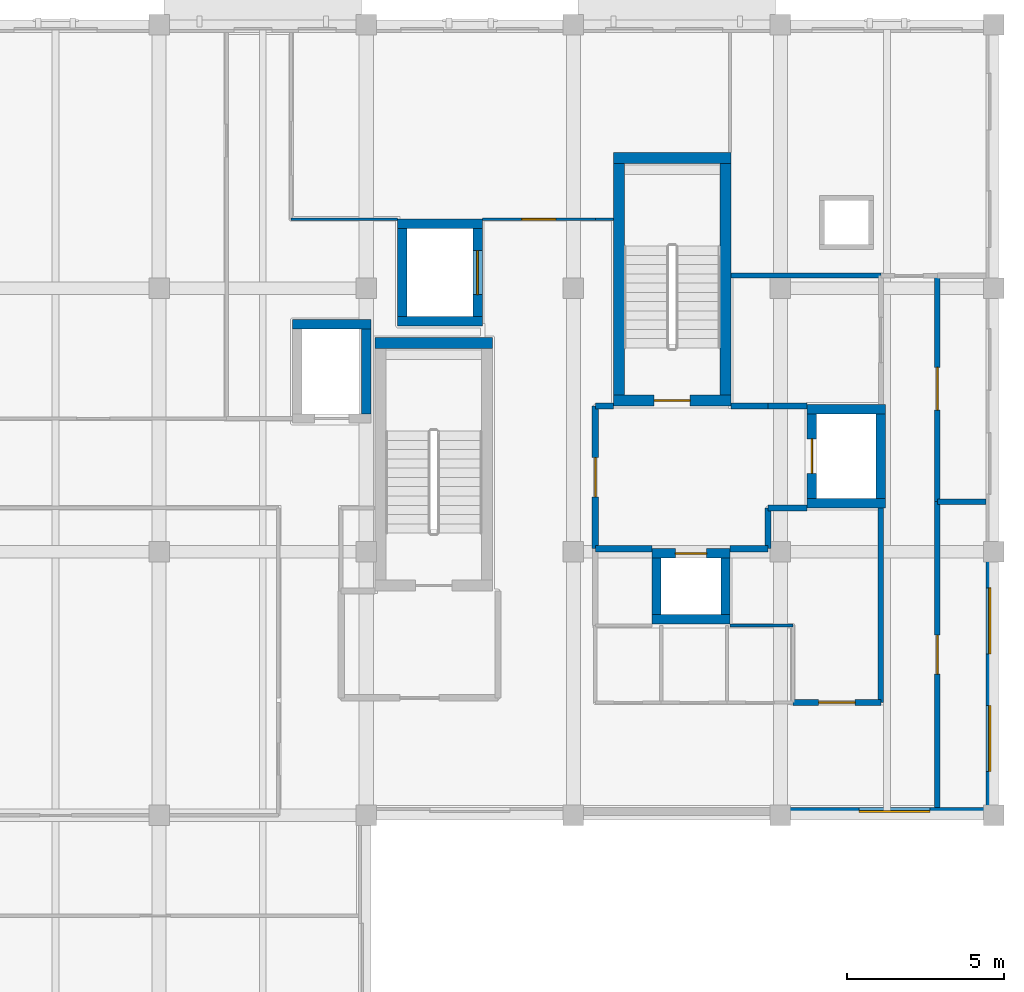
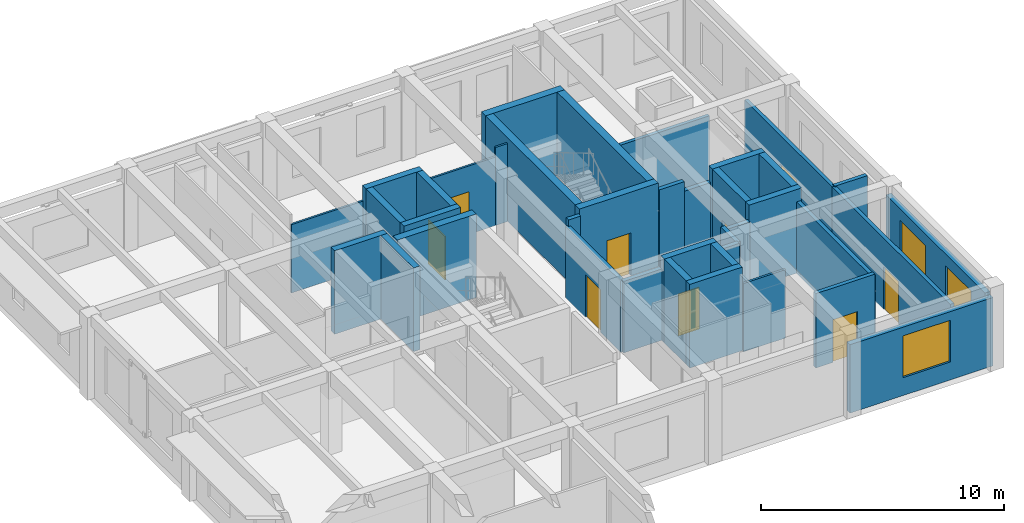
# One storey, part 9 of 14: 39 walls, 9 doors, 3 windows, 12 openings.
"""IFC4 building model written with IfcOpenShell, lengths in metres."""

from ifc_helpers import new_model, si_unit, direction, frame, frame_2d, origin, place, context, subcontext, project, spatial, rectangle, extrude, material, layer, layer_set, type_object, element, fill, save


model = new_model("IFC4")

# Units and contexts
model_context = context("Model", 3, precision=1e-05, world=origin(), true_north=direction((0.0, 1.0)))
body_context = subcontext(model_context, "Body", "Model", "MODEL_VIEW")
ifc_project = project(units=[si_unit("LENGTHUNIT", "METRE"), si_unit("AREAUNIT", "SQUARE_METRE"), si_unit("VOLUMEUNIT", "CUBIC_METRE"), si_unit("PLANEANGLEUNIT", "RADIAN"), si_unit("MASSUNIT", "GRAM", prefix="KILO")], contexts=[model_context])

# Site, building, storey
site_placement = place(None, origin())
site = spatial("IfcSite", under=ifc_project, at=site_placement, CompositionType="ELEMENT")
building_placement = place(site_placement, origin())
building = spatial("IfcBuilding", under=site, at=building_placement, Name="Kolvaren Faculty of Natural Sciences", CompositionType="ELEMENT")
storey_placement = place(building_placement, frame((0.0, 0.0, 28.5)))
storey = spatial("IfcBuildingStorey", under=building, at=storey_placement, Name="L06", CompositionType="ELEMENT", Elevation=28.5)

# Wall
ifc_material_1 = material(Name="Acoustic mineral-wool insulated gypsum partition")
ifc_layer_1 = layer(ifc_material_1, 0.159912109375)
ifc_layer_set_1 = layer_set([ifc_layer_1], Name="Acoustic mineral-wool insulated gypsum partition")
wall_type_1 = type_object("IfcWallType", Name="ClassroomPartitionWall_160", PredefinedType="PARTITIONING", material=ifc_layer_set_1)
wall_1_placement = place(storey_placement, frame((163.626953125, 76.199951171875, 0.0), z_axis=(0.0, 0.0, 1.0), x_axis=(1.0, 0.0, 0.0)))
element("IfcWall", 1, at=wall_1_placement, inside=storey, type_object=wall_type_1, Name="L06 interior partition PW-160", PredefinedType="PARTITIONING", context=body_context, shape_type="SweptSolid", body=[
    extrude(rectangle(XDim=4.77294921875, YDim=0.159912109375, at=frame_2d((2.386474609375, 0.0))), origin(), (0.0, 0.0, 1.0), 3.43505859375),
])

# Wall, opening, door
ifc_material_2 = material(Name="Concrete C40/50", Category="concrete")
ifc_layer_2 = layer(ifc_material_2, 0.35009765625)
ifc_layer_set_2 = layer_set([ifc_layer_2], Name="Concrete C40/50")
wall_type_2 = type_object("IfcWallType", Name="CoreShearWall_350", PredefinedType="SHEAR", material=ifc_layer_set_2)
wall_2_placement = place(storey_placement, frame((159.875, 72.22509765625, 0.0), z_axis=(0.0, 0.0, 1.0), x_axis=(1.0, 0.0, 0.0)))
wall_2 = element("IfcWall", 2, at=wall_2_placement, inside=storey, type_object=wall_type_2, Name="L06 CORE-C1 stair shear wall S", PredefinedType="SHEAR", context=body_context, shape_type="SweptSolid", body=[
    extrude(rectangle(XDim=3.75, YDim=0.35009765625, at=frame_2d((1.875, 0.0))), origin(), (0.0, 0.0, 1.0), 4.199951171875),
])
opening_1_placement = place(wall_2_placement, frame((1.300048828125, 0.0, 0.0)))
opening_1 = element("IfcOpeningElement", 3, at=opening_1_placement, cuts=wall_2, Name="Opening FD90", PredefinedType="OPENING", context=body_context, shape_type="SweptSolid", body=[
    extrude(rectangle(XDim=1.14990234375, YDim=2.14990234375, at=frame_2d((0.574951171875, 1.074951171875))), frame((0.0, 0.18505859375, 0.0), z_axis=(0.0, -1.0, 0.0), x_axis=(1.0, 0.0, 0.0)), (0.0, 0.0, 1.0), 0.3701171875),
])
ifc_material_3 = material(Name="Fire-rated solid-core hardwood door leaf in steel frame", Category="steel")
door_type_1 = type_object("IfcDoorType", Name="StairCoreFireDoor_1150x2150", OperationType="NOTDEFINED", PredefinedType="DOOR", material=ifc_material_3)
door_1_placement = place(opening_1_placement, origin())
door_1 = element("IfcDoor", 4, at=door_1_placement, inside=storey, type_object=door_type_1, Name="D-ST-ST-1-L06", OperationType="SINGLE_SWING_RIGHT", OverallHeight=2.14990234375, OverallWidth=1.14990234375, PredefinedType="DOOR", context=body_context, shape_type="SweptSolid", body=[
    extrude(rectangle(XDim=1.14990234375, YDim=2.14990234375, at=frame_2d((0.574951171875, 1.074951171875))), frame((0.0, 0.02490234375, 0.0), z_axis=(0.0, -1.0, 0.0), x_axis=(1.0, 0.0, 0.0)), (0.0, 0.0, 1.0), 0.050048828125),
])
fill(opening_1, door_1)

# Walls
wall_3_placement = place(storey_placement, frame((159.875, 79.949951171875, 0.0), z_axis=(0.0, 0.0, 1.0), x_axis=(1.0, 0.0, 0.0)))
element("IfcWall", 5, at=wall_3_placement, inside=storey, type_object=wall_type_2, Name="L06 CORE-C1 stair shear wall N", PredefinedType="SHEAR", context=body_context, shape_type="SweptSolid", body=[
    extrude(rectangle(XDim=3.75, YDim=0.35009765625, at=frame_2d((1.875, 0.0))), origin(), (0.0, 0.0, 1.0), 4.199951171875),
])
for number, where, z_axis, x_axis, name in (
    (6, (160.050048828125, 72.39990234375, 0.0), (0.0, 0.0, 1.0), (0.0, 1.0, 0.0), "L06 CORE-C1 stair shear wall W"),
    (7, (163.449951171875, 72.39990234375, 0.0), (0.0, 0.0, 1.0), (0.0, 1.0, 0.0), "L06 CORE-C1 stair shear wall E"),
):
    element("IfcWall", number, at=place(storey_placement, frame(where, z_axis=z_axis, x_axis=x_axis)), inside=storey, type_object=wall_type_2, Name=name, PredefinedType="SHEAR", context=body_context, shape_type="SweptSolid", body=[
        extrude(rectangle(XDim=7.375, YDim=0.35009765625, at=frame_2d((3.6875, 0.0))), origin(), (0.0, 0.0, 1.0), 4.199951171875),
    ])
wall_4_placement = place(storey_placement, frame((152.27490234375, 74.050048828125, 0.0), z_axis=(0.0, 0.0, 1.0), x_axis=(1.0, 0.0, 0.0)))
element("IfcWall", 8, at=wall_4_placement, inside=storey, type_object=wall_type_2, Name="L06 CORE-C2 stair shear wall N", PredefinedType="SHEAR", context=body_context, shape_type="SweptSolid", body=[
    extrude(rectangle(XDim=3.75, YDim=0.35009765625, at=frame_2d((1.875, 0.0))), origin(), (0.0, 0.0, 1.0), 4.199951171875),
])
ifc_layer_3 = layer(ifc_material_1, 0.094970703125)
ifc_layer_set_3 = layer_set([ifc_layer_3], Name="Acoustic mineral-wool insulated gypsum partition")
wall_type_3 = type_object("IfcWallType", Name="CubiclePartition_095", PredefinedType="PARTITIONING", material=ifc_layer_set_3)
wall_5_placement = place(storey_placement, frame((153.0, 78.0, 0.0), z_axis=(0.0, 0.0, 1.0), x_axis=(-1.0, 0.0, 0.0)))
element("IfcWall", 9, at=wall_5_placement, inside=storey, type_object=wall_type_3, Name="L06 interior partition PW-095", PredefinedType="PARTITIONING", context=body_context, shape_type="SweptSolid", body=[
    extrude(rectangle(XDim=3.39990234375, YDim=0.094970703125, at=frame_2d((1.699951171875, 0.0))), origin(), (0.0, 0.0, 1.0), 3.43505859375),
])
wall_6_placement = place(storey_placement, frame((159.873046875, 78.0, 0.0), z_axis=(0.0, 0.0, 1.0), x_axis=(-1.0, 0.0, 0.0)))
element("IfcWall", 10, at=wall_6_placement, inside=storey, type_object=wall_type_3, Name="L06 interior partition PW-095", PredefinedType="PARTITIONING", context=body_context, shape_type="SweptSolid", body=[
    extrude(rectangle(XDim=0.572998046875, YDim=0.094970703125, at=frame_2d((0.28662109375, 0.0))), origin(), (0.0, 0.0, 1.0), 3.9150390625),
])

# Wall, opening, door
wall_7_placement = place(storey_placement, frame((159.300048828125, 78.0, 0.0), z_axis=(0.0, 0.0, 1.0), x_axis=(-1.0, 0.0, 0.0)))
wall_7 = element("IfcWall", 11, at=wall_7_placement, inside=storey, type_object=wall_type_3, Name="L06 interior partition PW-095", PredefinedType="PARTITIONING", context=body_context, shape_type="SweptSolid", body=[
    extrude(rectangle(XDim=3.60009765625, YDim=0.094970703125, at=frame_2d((1.800048828125, 0.0))), origin(), (0.0, 0.0, 1.0), 3.43505859375),
])
opening_2_placement = place(wall_7_placement, frame((1.260009765625, 0.0, 0.0)))
opening_2 = element("IfcOpeningElement", 12, at=opening_2_placement, cuts=wall_7, Name="Opening ID-23", PredefinedType="OPENING", context=body_context, shape_type="SweptSolid", body=[
    extrude(rectangle(XDim=1.080078125, YDim=2.139892578125, at=frame_2d((0.5400390625, 1.06982421875))), frame((0.0, 0.057373046875, 0.0), z_axis=(0.0, -1.0, 0.0), x_axis=(1.0, 0.0, 0.0)), (0.0, 0.0, 1.0), 0.114990234375),
])
ifc_material_4 = material(Name="Solid-core hardwood veneer door leaf in steel frame", Category="steel")
door_type_2 = type_object("IfcDoorType", Name="InteriorRoomDoor_1080x2140", OperationType="NOTDEFINED", PredefinedType="DOOR", material=ifc_material_4)
door_2_placement = place(opening_2_placement, origin())
door_2 = element("IfcDoor", 13, at=door_2_placement, inside=storey, type_object=door_type_2, Name="D-L06-0342", OperationType="SINGLE_SWING_RIGHT", OverallHeight=2.139892578125, OverallWidth=1.080078125, PredefinedType="DOOR", context=body_context, shape_type="SweptSolid", body=[
    extrude(rectangle(XDim=1.080078125, YDim=2.139892578125, at=frame_2d((0.5400390625, 1.06982421875))), frame((0.0, 0.02490234375, 0.0), z_axis=(0.0, -1.0, 0.0), x_axis=(1.0, 0.0, 0.0)), (0.0, 0.0, 1.0), 0.050048828125),
])
fill(opening_2, door_2)

# Wall, openings, windows
ifc_material_5 = material(Name="Precast concrete C35/45", Category="concrete")
ifc_layer_4 = layer(ifc_material_5, 0.25)
ifc_layer_set_4 = layer_set([ifc_layer_4], Name="Precast concrete C35/45")
wall_type_4 = type_object("IfcWallType", Name="ExteriorTowerWall_250", PredefinedType="STANDARD", material=ifc_layer_set_4)
wall_8_placement = place(storey_placement, frame((171.875, 67.39990234375, 0.0), z_axis=(0.0, 0.0, 1.0), x_axis=(0.0, -1.0, 0.0)))
wall_8 = element("IfcWall", 14, at=wall_8_placement, inside=storey, type_object=wall_type_4, Name="L06 exterior masonry wall EW-250 (699)", PredefinedType="STANDARD", context=body_context, shape_type="SweptSolid", body=[
    extrude(rectangle(XDim=8.14990234375, YDim=0.25, at=frame_2d((4.074951171875, 0.0))), origin(), (0.0, 0.0, 1.0), 3.5849609375),
])
opening_3_placement = place(wall_8_placement, frame((1.150390625, 0.0, 0.89990234375)))
opening_3 = element("IfcOpeningElement", 15, at=opening_3_placement, cuts=wall_8, Name="Opening WIN-07", PredefinedType="OPENING", context=body_context, shape_type="SweptSolid", body=[
    extrude(rectangle(XDim=2.10009765625, YDim=2.10009765625, at=frame_2d((1.050048828125, 1.050048828125))), frame((0.0, 0.135009765625, 0.0), z_axis=(0.0, -1.0, 0.0), x_axis=(1.0, 0.0, 0.0)), (0.0, 0.0, 1.0), 0.27001953125),
])
opening_4_placement = place(wall_8_placement, frame((4.8994140625, 0.0, 0.89990234375)))
opening_4 = element("IfcOpeningElement", 16, at=opening_4_placement, cuts=wall_8, Name="Opening WIN-07", PredefinedType="OPENING", context=body_context, shape_type="SweptSolid", body=[
    extrude(rectangle(XDim=2.10009765625, YDim=2.10009765625, at=frame_2d((1.050048828125, 1.050048828125))), frame((0.0, 0.135009765625, 0.0), z_axis=(0.0, -1.0, 0.0), x_axis=(1.0, 0.0, 0.0)), (0.0, 0.0, 1.0), 0.27001953125),
])
ifc_material_6 = material(Name="Double low-E solar control insulated glazing", Category="glass")
window_type_1 = type_object("IfcWindowType", Name="AluWindow_WIN07_2100x2100", PartitioningType="SINGLE_PANEL", PredefinedType="WINDOW", material=ifc_material_6)
window_1_placement = place(opening_3_placement, origin())
window_1 = element("IfcWindow", 17, at=window_1_placement, inside=storey, type_object=window_type_1, Name="WIN-L06-0539", OverallHeight=2.10009765625, OverallWidth=2.10009765625, PartitioningType="SINGLE_PANEL", PredefinedType="WINDOW", context=body_context, shape_type="SweptSolid", body=[
    extrude(rectangle(XDim=2.10009765625, YDim=2.10009765625, at=frame_2d((1.050048828125, 1.050048828125))), frame((0.0, 0.030029296875, 0.0), z_axis=(0.0, -1.0, 0.0), x_axis=(1.0, 0.0, 0.0)), (0.0, 0.0, 1.0), 0.06005859375),
])
fill(opening_3, window_1)
window_2_placement = place(opening_4_placement, origin())
window_2 = element("IfcWindow", 18, at=window_2_placement, inside=storey, type_object=window_type_1, Name="WIN-L06-0540", OverallHeight=2.10009765625, OverallWidth=2.10009765625, PartitioningType="SINGLE_PANEL", PredefinedType="WINDOW", context=body_context, shape_type="SweptSolid", body=[
    extrude(rectangle(XDim=2.10009765625, YDim=2.10009765625, at=frame_2d((1.050048828125, 1.050048828125))), frame((0.0, 0.030029296875, 0.0), z_axis=(0.0, -1.0, 0.0), x_axis=(1.0, 0.0, 0.0)), (0.0, 0.0, 1.0), 0.06005859375),
])
fill(opening_4, window_2)

# Wall, opening, window
wall_9_placement = place(storey_placement, frame((172.0, 59.125, 0.0), z_axis=(0.0, 0.0, 1.0), x_axis=(-1.0, 0.0, 0.0)))
wall_9 = element("IfcWall", 19, at=wall_9_placement, inside=storey, type_object=wall_type_4, Name="L06 exterior masonry wall EW-250 (700)", PredefinedType="STANDARD", context=body_context, shape_type="SweptSolid", body=[
    extrude(rectangle(XDim=6.800048828125, YDim=0.25, at=frame_2d((3.39990234375, 0.0))), origin(), (0.0, 0.0, 1.0), 3.43505859375),
])
opening_5_placement = place(wall_9_placement, frame((2.0400390625, 0.0, 0.89990234375)))
opening_5 = element("IfcOpeningElement", 20, at=opening_5_placement, cuts=wall_9, Name="Opening WIN-08", PredefinedType="OPENING", context=body_context, shape_type="SweptSolid", body=[
    extrude(rectangle(XDim=2.25, YDim=2.10009765625, at=frame_2d((1.125, 1.050048828125))), frame((0.0, 0.135009765625, 0.0), z_axis=(0.0, -1.0, 0.0), x_axis=(1.0, 0.0, 0.0)), (0.0, 0.0, 1.0), 0.27001953125),
])
window_type_2 = type_object("IfcWindowType", Name="AluWindow_WIN08_2250x2100", PartitioningType="SINGLE_PANEL", PredefinedType="WINDOW", material=ifc_material_6)
window_3_placement = place(opening_5_placement, origin())
window_3 = element("IfcWindow", 21, at=window_3_placement, inside=storey, type_object=window_type_2, Name="WIN-L06-0541", OverallHeight=2.10009765625, OverallWidth=2.25, PartitioningType="SINGLE_PANEL", PredefinedType="WINDOW", context=body_context, shape_type="SweptSolid", body=[
    extrude(rectangle(XDim=2.25, YDim=2.10009765625, at=frame_2d((1.125, 1.050048828125))), frame((0.0, 0.030029296875, 0.0), z_axis=(0.0, -1.0, 0.0), x_axis=(1.0, 0.0, 0.0)), (0.0, 0.0, 1.0), 0.06005859375),
])
fill(opening_5, window_3)

# Walls
ifc_material_7 = material(Name="Autoclaved aerated fire-rated masonry blockwork", Category="masonry")
ifc_layer_5 = layer(ifc_material_7, 0.199951171875)
ifc_layer_set_5 = layer_set([ifc_layer_5], Name="Autoclaved aerated fire-rated masonry blockwork")
wall_type_5 = type_object("IfcWallType", Name="FireLobbyWall_200", PredefinedType="PARTITIONING", material=ifc_layer_set_5)
wall_10_placement = place(storey_placement, frame((159.300048828125, 72.050048828125, 0.0), z_axis=(0.0, 0.0, 1.0), x_axis=(1.0, 0.0, 0.0)))
element("IfcWall", 22, at=wall_10_placement, inside=storey, type_object=wall_type_5, Name="L06 interior partition FW-200", PredefinedType="PARTITIONING", context=body_context, shape_type="SweptSolid", body=[
    extrude(rectangle(XDim=0.574951171875, YDim=0.199951171875, at=frame_2d((0.28759765625, 0.0))), origin(), (0.0, 0.0, 1.0), 3.9150390625),
])
wall_11_placement = place(storey_placement, frame((163.625, 72.050048828125, 0.0), z_axis=(0.0, 0.0, 1.0), x_axis=(1.0, 0.0, 0.0)))
element("IfcWall", 23, at=wall_11_placement, inside=storey, type_object=wall_type_5, Name="L06 interior partition FW-200", PredefinedType="PARTITIONING", context=body_context, shape_type="SweptSolid", body=[
    extrude(rectangle(XDim=1.175048828125, YDim=0.199951171875, at=frame_2d((0.58740234375, 0.0))), origin(), (0.0, 0.0, 1.0), 3.9150390625),
])
for number, where, z_axis, x_axis, name in (
    (24, (164.800048828125, 72.050048828125, 0.0), (0.0, 0.0, 1.0), (1.0, 0.0, 0.0), "L06 interior partition FW-200"),
    (25, (166.050048828125, 68.800048828125, 0.0), (0.0, 0.0, 1.0), (-1.0, 0.0, 0.0), "L06 interior partition FW-200"),
):
    element("IfcWall", number, at=place(storey_placement, frame(where, z_axis=z_axis, x_axis=x_axis)), inside=storey, type_object=wall_type_5, Name=name, PredefinedType="PARTITIONING", context=body_context, shape_type="SweptSolid", body=[
        extrude(rectangle(XDim=1.25, YDim=0.199951171875, at=frame_2d((0.625, 0.0))), origin(), (0.0, 0.0, 1.0), 3.43505859375),
    ])
wall_12_placement = place(storey_placement, frame((164.800048828125, 68.800048828125, 0.0), z_axis=(0.0, 0.0, 1.0), x_axis=(0.0, -1.0, 0.0)))
element("IfcWall", 26, at=wall_12_placement, inside=storey, type_object=wall_type_5, Name="L06 interior partition FW-200", PredefinedType="PARTITIONING", context=body_context, shape_type="SweptSolid", body=[
    extrude(rectangle(XDim=1.300048828125, YDim=0.199951171875, at=frame_2d((0.64990234375, 0.0))), origin(), (0.0, 0.0, 1.0), 3.5849609375),
])
wall_13_placement = place(storey_placement, frame((164.800048828125, 67.5, 0.0), z_axis=(0.0, 0.0, 1.0), x_axis=(-1.0, 0.0, 0.0)))
element("IfcWall", 27, at=wall_13_placement, inside=storey, type_object=wall_type_5, Name="L06 interior partition FW-200", PredefinedType="PARTITIONING", context=body_context, shape_type="SweptSolid", body=[
    extrude(rectangle(XDim=1.199951171875, YDim=0.199951171875, at=frame_2d((0.60009765625, 0.0))), origin(), (0.0, 0.0, 1.0), 3.5849609375),
])
wall_14_placement = place(storey_placement, frame((161.10009765625, 67.5, 0.0), z_axis=(0.0, 0.0, 1.0), x_axis=(-1.0, 0.0, 0.0)))
element("IfcWall", 28, at=wall_14_placement, inside=storey, type_object=wall_type_5, Name="L06 interior partition FW-200", PredefinedType="PARTITIONING", context=body_context, shape_type="SweptSolid", body=[
    extrude(rectangle(XDim=1.800048828125, YDim=0.199951171875, at=frame_2d((0.89990234375, 0.0))), origin(), (0.0, 0.0, 1.0), 3.5849609375),
])

# Wall, opening, door
wall_15_placement = place(storey_placement, frame((159.300048828125, 67.5, 0.0), z_axis=(0.0, 0.0, 1.0), x_axis=(0.0, 1.0, 0.0)))
wall_15 = element("IfcWall", 29, at=wall_15_placement, inside=storey, type_object=wall_type_5, Name="L06 interior partition FW-200", PredefinedType="PARTITIONING", context=body_context, shape_type="SweptSolid", body=[
    extrude(rectangle(XDim=4.550048828125, YDim=0.199951171875, at=frame_2d((2.27490234375, 0.0))), origin(), (0.0, 0.0, 1.0), 3.5849609375),
])
opening_6_placement = place(wall_15_placement, frame((1.64990234375, 0.0, 0.0)))
opening_6 = element("IfcOpeningElement", 30, at=opening_6_placement, cuts=wall_15, Name="Opening FD60", PredefinedType="OPENING", context=body_context, shape_type="SweptSolid", body=[
    extrude(rectangle(XDim=1.25, YDim=2.14990234375, at=frame_2d((0.625, 1.074951171875))), frame((0.0, 0.10986328125, 0.0), z_axis=(0.0, -1.0, 0.0), x_axis=(1.0, 0.0, 0.0)), (0.0, 0.0, 1.0), 0.219970703125),
])
door_type_3 = type_object("IfcDoorType", Name="RescueLobbyFireDoor_1250x2150", OperationType="NOTDEFINED", PredefinedType="DOOR", material=ifc_material_3)
door_3_placement = place(opening_6_placement, origin())
door_3 = element("IfcDoor", 31, at=door_3_placement, inside=storey, type_object=door_type_3, Name="D-L06-0330", OperationType="SINGLE_SWING_RIGHT", OverallHeight=2.14990234375, OverallWidth=1.25, PredefinedType="DOOR", context=body_context, shape_type="SweptSolid", body=[
    extrude(rectangle(XDim=1.25, YDim=2.14990234375, at=frame_2d((0.625, 1.074951171875))), frame((0.0, 0.02490234375, 0.0), z_axis=(0.0, -1.0, 0.0), x_axis=(1.0, 0.0, 0.0)), (0.0, 0.0, 1.0), 0.050048828125),
])
fill(opening_6, door_3)

ifc_layer_6 = layer(ifc_material_1, 0.179931640625)
ifc_layer_set_6 = layer_set([ifc_layer_6], Name="Acoustic mineral-wool insulated gypsum partition")
wall_type_6 = type_object("IfcWallType", Name="LabPartitionWall_180", PredefinedType="PARTITIONING", material=ifc_layer_set_6)
wall_16_placement = place(storey_placement, frame((170.199951171875, 59.251953125, 0.0), z_axis=(0.0, 0.0, 1.0), x_axis=(0.0, 1.0, 0.0)))
wall_16 = element("IfcWall", 32, at=wall_16_placement, inside=storey, type_object=wall_type_6, Name="L06 interior partition PW-180", PredefinedType="PARTITIONING", context=body_context, shape_type="SweptSolid", body=[
    extrude(rectangle(XDim=9.748046875, YDim=0.179931640625, at=frame_2d((4.8740234375, 0.0))), origin(), (0.0, 0.0, 1.0), 3.5849609375),
])
opening_7_placement = place(wall_16_placement, frame((4.25390625, 0.0, 0.0)))
opening_7 = element("IfcOpeningElement", 33, at=opening_7_placement, cuts=wall_16, Name="Opening ID-25", PredefinedType="OPENING", context=body_context, shape_type="SweptSolid", body=[
    extrude(rectangle(XDim=1.239990234375, YDim=2.139892578125, at=frame_2d((0.6201171875, 1.06982421875))), frame((0.0, 0.099853515625, 0.0), z_axis=(0.0, -1.0, 0.0), x_axis=(1.0, 0.0, 0.0)), (0.0, 0.0, 1.0), 0.199951171875),
])
door_type_4 = type_object("IfcDoorType", Name="InteriorRoomDoor_1240x2140", OperationType="NOTDEFINED", PredefinedType="DOOR", material=ifc_material_4)
door_4_placement = place(opening_7_placement, origin())
door_4 = element("IfcDoor", 34, at=door_4_placement, inside=storey, type_object=door_type_4, Name="D-L06-0344", OperationType="SINGLE_SWING_RIGHT", OverallHeight=2.139892578125, OverallWidth=1.239990234375, PredefinedType="DOOR", context=body_context, shape_type="SweptSolid", body=[
    extrude(rectangle(XDim=1.239990234375, YDim=2.139892578125, at=frame_2d((0.6201171875, 1.06982421875))), frame((0.0, 0.02490234375, 0.0), z_axis=(0.0, -1.0, 0.0), x_axis=(1.0, 0.0, 0.0)), (0.0, 0.0, 1.0), 0.050048828125),
])
fill(opening_7, door_4)

# Walls
wall_17_placement = place(storey_placement, frame((170.199951171875, 69.0, 0.0), z_axis=(0.0, 0.0, 1.0), x_axis=(1.0, 0.0, 0.0)))
element("IfcWall", 35, at=wall_17_placement, inside=storey, type_object=wall_type_6, Name="L06 interior partition PW-180", PredefinedType="PARTITIONING", context=body_context, shape_type="SweptSolid", body=[
    extrude(rectangle(XDim=1.548095703125, YDim=0.179931640625, at=frame_2d((0.77392578125, 0.0))), origin(), (0.0, 0.0, 1.0), 3.635009765625),
])
ifc_layer_7 = layer(ifc_material_1, 0.18505859375)
ifc_layer_set_7 = layer_set([ifc_layer_7], Name="Acoustic mineral-wool insulated gypsum partition")
wall_type_7 = type_object("IfcWallType", Name="LabPartitionWall_185", PredefinedType="PARTITIONING", material=ifc_layer_set_7)
wall_18_placement = place(storey_placement, frame((168.39990234375, 68.798095703125, 0.0), z_axis=(0.0, 0.0, 1.0), x_axis=(0.0, -1.0, 0.0)))
element("IfcWall", 36, at=wall_18_placement, inside=storey, type_object=wall_type_7, Name="L06 interior partition PW-185", PredefinedType="PARTITIONING", context=body_context, shape_type="SweptSolid", body=[
    extrude(rectangle(XDim=6.197998046875, YDim=0.18505859375, at=frame_2d((3.09912109375, 0.0))), origin(), (0.0, 0.0, 1.0), 3.5849609375),
])

# Wall, opening, door
wall_19_placement = place(storey_placement, frame((168.39990234375, 62.60009765625, 0.0), z_axis=(0.0, 0.0, 1.0), x_axis=(-1.0, 0.0, 0.0)))
wall_19 = element("IfcWall", 37, at=wall_19_placement, inside=storey, type_object=wall_type_7, Name="L06 interior partition PW-185", PredefinedType="PARTITIONING", context=body_context, shape_type="SweptSolid", body=[
    extrude(rectangle(XDim=2.7998046875, YDim=0.18505859375, at=frame_2d((1.39990234375, 0.0))), origin(), (0.0, 0.0, 1.0), 3.735107421875),
])
opening_8_placement = place(wall_19_placement, frame((0.820068359375, 0.0, 0.0)))
opening_8 = element("IfcOpeningElement", 38, at=opening_8_placement, cuts=wall_19, Name="Opening ID-24", PredefinedType="OPENING", context=body_context, shape_type="SweptSolid", body=[
    extrude(rectangle(XDim=1.159912109375, YDim=2.139892578125, at=frame_2d((0.580078125, 1.06982421875))), frame((0.0, 0.1025390625, 0.0), z_axis=(0.0, -1.0, 0.0), x_axis=(1.0, 0.0, 0.0)), (0.0, 0.0, 1.0), 0.205078125),
])
door_type_5 = type_object("IfcDoorType", Name="InteriorRoomDoor_1160x2140", OperationType="NOTDEFINED", PredefinedType="DOOR", material=ifc_material_4)
door_5_placement = place(opening_8_placement, origin())
door_5 = element("IfcDoor", 39, at=door_5_placement, inside=storey, type_object=door_type_5, Name="D-L06-0343", OperationType="SINGLE_SWING_LEFT", OverallHeight=2.139892578125, OverallWidth=1.159912109375, PredefinedType="DOOR", context=body_context, shape_type="SweptSolid", body=[
    extrude(rectangle(XDim=1.159912109375, YDim=2.139892578125, at=frame_2d((0.580078125, 1.06982421875))), frame((0.0, 0.02490234375, 0.0), z_axis=(0.0, -1.0, 0.0), x_axis=(1.0, 0.0, 0.0)), (0.0, 0.0, 1.0), 0.050048828125),
])
fill(opening_8, door_5)

ifc_layer_8 = layer(ifc_material_1, 0.169921875)
ifc_layer_set_8 = layer_set([ifc_layer_8], Name="Acoustic mineral-wool insulated gypsum partition")
wall_type_8 = type_object("IfcWallType", Name="SeminarPartitionWall_170", PredefinedType="PARTITIONING", material=ifc_layer_set_8)
wall_20_placement = place(storey_placement, frame((170.199951171875, 69.0, 0.0), z_axis=(0.0, 0.0, 1.0), x_axis=(0.0, 1.0, 0.0)))
wall_20 = element("IfcWall", 40, at=wall_20_placement, inside=storey, type_object=wall_type_8, Name="L06 interior partition PW-170", PredefinedType="PARTITIONING", context=body_context, shape_type="SweptSolid", body=[
    extrude(rectangle(XDim=7.199951171875, YDim=0.169921875, at=frame_2d((3.60009765625, 0.0))), origin(), (0.0, 0.0, 1.0), 3.5849609375),
])
opening_9_placement = place(wall_20_placement, frame((2.919921875, 0.0, 0.0)))
opening_9 = element("IfcOpeningElement", 41, at=opening_9_placement, cuts=wall_20, Name="Opening ID-26", PredefinedType="OPENING", context=body_context, shape_type="SweptSolid", body=[
    extrude(rectangle(XDim=1.360107421875, YDim=2.139892578125, at=frame_2d((0.68017578125, 1.06982421875))), frame((0.0, 0.094970703125, 0.0), z_axis=(0.0, -1.0, 0.0), x_axis=(1.0, 0.0, 0.0)), (0.0, 0.0, 1.0), 0.18994140625),
])
ifc_material_8 = material(Name="Thermally broken anodised aluminium glazed door", Category="aluminium")
door_type_6 = type_object("IfcDoorType", Name="InteriorRoomDoor_1360x2140", OperationType="DOUBLE_DOOR_SINGLE_SWING", PredefinedType="DOOR", material=ifc_material_8)
door_6_placement = place(opening_9_placement, origin())
door_6 = element("IfcDoor", 42, at=door_6_placement, inside=storey, type_object=door_type_6, Name="D-L06-0345", OperationType="DOUBLE_DOOR_SINGLE_SWING", OverallHeight=2.139892578125, OverallWidth=1.360107421875, PredefinedType="DOOR", context=body_context, shape_type="SweptSolid", body=[
    extrude(rectangle(XDim=1.360107421875, YDim=2.139892578125, at=frame_2d((0.68017578125, 1.06982421875))), frame((0.0, 0.02490234375, 0.0), z_axis=(0.0, -1.0, 0.0), x_axis=(1.0, 0.0, 0.0)), (0.0, 0.0, 1.0), 0.050048828125),
])
fill(opening_9, door_6)

# Walls
ifc_layer_9 = layer(ifc_material_2, 0.300048828125)
ifc_layer_set_9 = layer_set([ifc_layer_9], Name="Concrete C40/50")
wall_type_9 = type_object("IfcWallType", Name="ShaftShearWall_300", PredefinedType="SHEAR", material=ifc_layer_set_9)
for number, where, z_axis, x_axis, name in (
    (43, (166.050048828125, 68.949951171875, 0.0), (0.0, 0.0, 1.0), (1.0, 0.0, 0.0), "L06 lift FL-1 shaft wall S"),
    (44, (166.050048828125, 71.949951171875, 0.0), (0.0, 0.0, 1.0), (1.0, 0.0, 0.0), "L06 lift FL-1 shaft wall N"),
):
    element("IfcWall", number, at=place(storey_placement, frame(where, z_axis=z_axis, x_axis=x_axis)), inside=storey, type_object=wall_type_9, Name=name, PredefinedType="SHEAR", context=body_context, shape_type="SweptSolid", body=[
        extrude(rectangle(XDim=2.5, YDim=0.300048828125, at=frame_2d((1.25, 0.0))), origin(), (0.0, 0.0, 1.0), 4.199951171875),
    ])

# Wall, opening, door
wall_21_placement = place(storey_placement, frame((166.199951171875, 69.10009765625, 0.0), z_axis=(0.0, 0.0, 1.0), x_axis=(0.0, 1.0, 0.0)))
wall_21 = element("IfcWall", 45, at=wall_21_placement, inside=storey, type_object=wall_type_9, Name="L06 lift FL-1 shaft wall W", PredefinedType="SHEAR", context=body_context, shape_type="SweptSolid", body=[
    extrude(rectangle(XDim=2.699951171875, YDim=0.300048828125, at=frame_2d((1.35009765625, 0.0))), origin(), (0.0, 0.0, 1.0), 4.199951171875),
])
opening_10_placement = place(wall_21_placement, frame((0.800048828125, 0.0, 0.0)))
opening_10 = element("IfcOpeningElement", 46, at=opening_10_placement, cuts=wall_21, Name="Opening LD-01", PredefinedType="OPENING", context=body_context, shape_type="SweptSolid", body=[
    extrude(rectangle(XDim=1.10009765625, YDim=2.10009765625, at=frame_2d((0.550048828125, 1.050048828125))), frame((0.0, 0.159912109375, 0.0), z_axis=(0.0, -1.0, 0.0), x_axis=(1.0, 0.0, 0.0)), (0.0, 0.0, 1.0), 0.320068359375),
])
ifc_material_9 = material(Name="Brushed stainless steel lift car and sliding door assembly", Category="steel")
door_type_7 = type_object("IfcDoorType", Name="LiftLandingSliding_1100x2100", OperationType="DOUBLE_DOOR_SLIDING", PredefinedType="DOOR", material=ifc_material_9)
door_7_placement = place(opening_10_placement, origin())
door_7 = element("IfcDoor", 47, at=door_7_placement, inside=storey, type_object=door_type_7, Name="D-LIFT-FL-1-L06", OperationType="DOUBLE_DOOR_SLIDING", OverallHeight=2.10009765625, OverallWidth=1.10009765625, PredefinedType="DOOR", context=body_context, shape_type="SweptSolid", body=[
    extrude(rectangle(XDim=1.10009765625, YDim=2.10009765625, at=frame_2d((0.550048828125, 1.050048828125))), frame((0.0, 0.02490234375, 0.0), z_axis=(0.0, -1.0, 0.0), x_axis=(1.0, 0.0, 0.0)), (0.0, 0.0, 1.0), 0.050048828125),
])
fill(opening_10, door_7)

# Walls
wall_22_placement = place(storey_placement, frame((168.39990234375, 69.10009765625, 0.0), z_axis=(0.0, 0.0, 1.0), x_axis=(0.0, 1.0, 0.0)))
element("IfcWall", 48, at=wall_22_placement, inside=storey, type_object=wall_type_9, Name="L06 lift FL-1 shaft wall E", PredefinedType="SHEAR", context=body_context, shape_type="SweptSolid", body=[
    extrude(rectangle(XDim=2.699951171875, YDim=0.300048828125, at=frame_2d((1.35009765625, 0.0))), origin(), (0.0, 0.0, 1.0), 4.199951171875),
])
wall_23_placement = place(storey_placement, frame((161.10009765625, 65.25, 0.0), z_axis=(0.0, 0.0, 1.0), x_axis=(1.0, 0.0, 0.0)))
element("IfcWall", 49, at=wall_23_placement, inside=storey, type_object=wall_type_9, Name="L06 lift PL-1 shaft wall S", PredefinedType="SHEAR", context=body_context, shape_type="SweptSolid", body=[
    extrude(rectangle(XDim=2.5, YDim=0.300048828125, at=frame_2d((1.25, 0.0))), origin(), (0.0, 0.0, 1.0), 4.199951171875),
])

# Wall, opening, door
wall_24_placement = place(storey_placement, frame((161.10009765625, 67.35009765625, 0.0), z_axis=(0.0, 0.0, 1.0), x_axis=(1.0, 0.0, 0.0)))
wall_24 = element("IfcWall", 50, at=wall_24_placement, inside=storey, type_object=wall_type_9, Name="L06 lift PL-1 shaft wall N", PredefinedType="SHEAR", context=body_context, shape_type="SweptSolid", body=[
    extrude(rectangle(XDim=2.5, YDim=0.300048828125, at=frame_2d((1.25, 0.0))), origin(), (0.0, 0.0, 1.0), 4.199951171875),
])
opening_11_placement = place(wall_24_placement, frame((0.75, 0.0, 0.0)))
opening_11 = element("IfcOpeningElement", 51, at=opening_11_placement, cuts=wall_24, Name="Opening LD-02", PredefinedType="OPENING", context=body_context, shape_type="SweptSolid", body=[
    extrude(rectangle(XDim=1.0, YDim=2.10009765625, at=frame_2d((0.5, 1.050048828125))), frame((0.0, 0.159912109375, 0.0), z_axis=(0.0, -1.0, 0.0), x_axis=(1.0, 0.0, 0.0)), (0.0, 0.0, 1.0), 0.320068359375),
])
door_type_8 = type_object("IfcDoorType", Name="LiftLandingSliding_1000x2100", OperationType="SLIDING_TO_LEFT", PredefinedType="DOOR", material=ifc_material_9)
door_8_placement = place(opening_11_placement, origin())
door_8 = element("IfcDoor", 52, at=door_8_placement, inside=storey, type_object=door_type_8, Name="D-LIFT-PL-1-L06", OperationType="SLIDING_TO_LEFT", OverallHeight=2.10009765625, OverallWidth=1.0, PredefinedType="DOOR", context=body_context, shape_type="SweptSolid", body=[
    extrude(rectangle(XDim=1.0, YDim=2.10009765625, at=frame_2d((0.5, 1.050048828125))), frame((0.0, 0.02490234375, 0.0), z_axis=(0.0, -1.0, 0.0), x_axis=(1.0, 0.0, 0.0)), (0.0, 0.0, 1.0), 0.050048828125),
])
fill(opening_11, door_8)

# Walls
for number, where, z_axis, x_axis, name in (
    (53, (161.25, 65.39990234375, 0.0), (0.0, 0.0, 1.0), (0.0, 1.0, 0.0), "L06 lift PL-1 shaft wall W"),
    (54, (163.449951171875, 65.39990234375, 0.0), (0.0, 0.0, 1.0), (0.0, 1.0, 0.0), "L06 lift PL-1 shaft wall E"),
):
    element("IfcWall", number, at=place(storey_placement, frame(where, z_axis=z_axis, x_axis=x_axis)), inside=storey, type_object=wall_type_9, Name=name, PredefinedType="SHEAR", context=body_context, shape_type="SweptSolid", body=[
        extrude(rectangle(XDim=1.800048828125, YDim=0.300048828125, at=frame_2d((0.89990234375, 0.0))), origin(), (0.0, 0.0, 1.0), 4.199951171875),
    ])
wall_25_placement = place(storey_placement, frame((149.64990234375, 74.64990234375, 0.0), z_axis=(0.0, 0.0, 1.0), x_axis=(1.0, 0.0, 0.0)))
element("IfcWall", 55, at=wall_25_placement, inside=storey, type_object=wall_type_9, Name="L06 lift FL-2 shaft wall N", PredefinedType="SHEAR", context=body_context, shape_type="SweptSolid", body=[
    extrude(rectangle(XDim=2.5, YDim=0.300048828125, at=frame_2d((1.25, 0.0))), origin(), (0.0, 0.0, 1.0), 4.199951171875),
])
for number, where, z_axis, x_axis, name in (
    (56, (152.0, 71.800048828125, 0.0), (0.0, 0.0, 1.0), (0.0, 1.0, 0.0), "L06 lift FL-2 shaft wall E"),
    (57, (153.0, 74.75, 0.0), (0.0, 0.0, 1.0), (1.0, 0.0, 0.0), "L06 lift GL-2 shaft wall S"),
    (58, (153.0, 77.85009765625, 0.0), (0.0, 0.0, 1.0), (1.0, 0.0, 0.0), "L06 lift GL-2 shaft wall N"),
):
    element("IfcWall", number, at=place(storey_placement, frame(where, z_axis=z_axis, x_axis=x_axis)), inside=storey, type_object=wall_type_9, Name=name, PredefinedType="SHEAR", context=body_context, shape_type="SweptSolid", body=[
        extrude(rectangle(XDim=2.699951171875, YDim=0.300048828125, at=frame_2d((1.35009765625, 0.0))), origin(), (0.0, 0.0, 1.0), 4.199951171875),
    ])
wall_26_placement = place(storey_placement, frame((153.14990234375, 74.89990234375, 0.0), z_axis=(0.0, 0.0, 1.0), x_axis=(0.0, 1.0, 0.0)))
element("IfcWall", 59, at=wall_26_placement, inside=storey, type_object=wall_type_9, Name="L06 lift GL-2 shaft wall W", PredefinedType="SHEAR", context=body_context, shape_type="SweptSolid", body=[
    extrude(rectangle(XDim=2.800048828125, YDim=0.300048828125, at=frame_2d((1.39990234375, 0.0))), origin(), (0.0, 0.0, 1.0), 4.199951171875),
])

# Wall, opening, door
wall_27_placement = place(storey_placement, frame((155.550048828125, 74.89990234375, 0.0), z_axis=(0.0, 0.0, 1.0), x_axis=(0.0, 1.0, 0.0)))
wall_27 = element("IfcWall", 60, at=wall_27_placement, inside=storey, type_object=wall_type_9, Name="L06 lift GL-2 shaft wall E", PredefinedType="SHEAR", context=body_context, shape_type="SweptSolid", body=[
    extrude(rectangle(XDim=2.800048828125, YDim=0.300048828125, at=frame_2d((1.39990234375, 0.0))), origin(), (0.0, 0.0, 1.0), 4.199951171875),
])
opening_12_placement = place(wall_27_placement, frame((0.699951171875, 0.0, 0.0)))
opening_12 = element("IfcOpeningElement", 61, at=opening_12_placement, cuts=wall_27, Name="Opening LD-03", PredefinedType="OPENING", context=body_context, shape_type="SweptSolid", body=[
    extrude(rectangle(XDim=1.39990234375, YDim=2.199951171875, at=frame_2d((0.699951171875, 1.10009765625))), frame((0.0, 0.159912109375, 0.0), z_axis=(0.0, -1.0, 0.0), x_axis=(1.0, 0.0, 0.0)), (0.0, 0.0, 1.0), 0.320068359375),
])
door_type_9 = type_object("IfcDoorType", Name="GoodsLiftSliding_1400x2200", OperationType="DOUBLE_DOOR_SLIDING", PredefinedType="DOOR", material=ifc_material_9)
door_9_placement = place(opening_12_placement, origin())
door_9 = element("IfcDoor", 62, at=door_9_placement, inside=storey, type_object=door_type_9, Name="D-LIFT-GL-2-L06", OperationType="DOUBLE_DOOR_SLIDING", OverallHeight=2.199951171875, OverallWidth=1.39990234375, PredefinedType="DOOR", context=body_context, shape_type="SweptSolid", body=[
    extrude(rectangle(XDim=1.39990234375, YDim=2.199951171875, at=frame_2d((0.699951171875, 1.10009765625))), frame((0.0, 0.02490234375, 0.0), z_axis=(0.0, -1.0, 0.0), x_axis=(1.0, 0.0, 0.0)), (0.0, 0.0, 1.0), 0.050048828125),
])
fill(opening_12, door_9)

# Wall
ifc_layer_10 = layer(ifc_material_1, 0.10498046875)
ifc_layer_set_10 = layer_set([ifc_layer_10], Name="Acoustic mineral-wool insulated gypsum partition")
wall_type_10 = type_object("IfcWallType", Name="WetRoomPartition_105", PredefinedType="PARTITIONING", material=ifc_layer_set_10)
wall_28_placement = place(storey_placement, frame((163.60009765625, 65.050048828125, 0.0), z_axis=(0.0, 0.0, 1.0), x_axis=(1.0, 0.0, 0.0)))
element("IfcWall", 63, at=wall_28_placement, inside=storey, type_object=wall_type_10, Name="L06 interior partition PW-105", PredefinedType="PARTITIONING", context=body_context, shape_type="SweptSolid", body=[
    extrude(rectangle(XDim=2.0, YDim=0.10498046875, at=frame_2d((1.0, 0.0))), origin(), (0.0, 0.0, 1.0), 3.43505859375),
])

save(model, "model.ifc")
